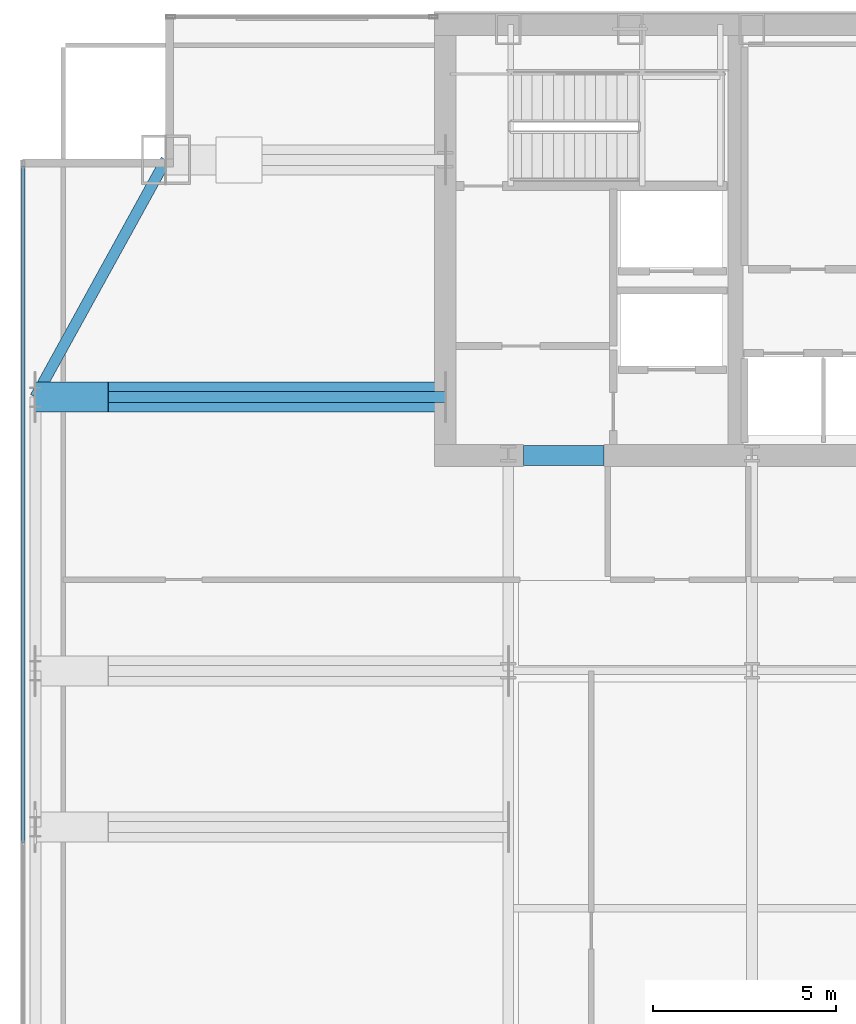
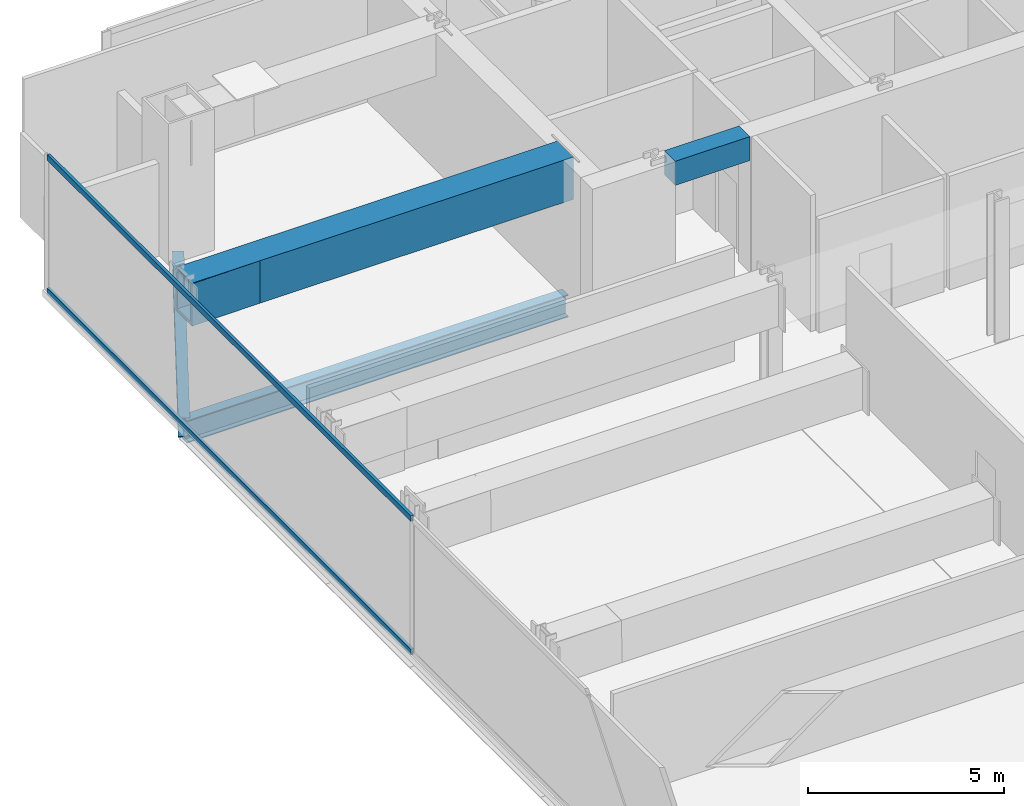
# One storey, part 16 of 25: 5 beams, 2 members, 1 element without a shape of its own.
"""IFC4 building model written with IfcOpenShell, lengths in metres."""

from ifc_helpers import new_model, si_unit, direction, frame, origin, origin_2d, place, context, subcontext, project, spatial, rectangle, hollow_rectangle, i_section, extrude, material, material_profile, profile_set, type_object, element, aggregate, save


model = new_model("IFC4")

# Units and contexts
model_context = context("Model", 3, precision=1e-05, world=origin(), true_north=direction((0.0, 1.0)))
body_context = subcontext(model_context, "Body", "Model", "MODEL_VIEW")
ifc_project = project(units=[si_unit("LENGTHUNIT", "METRE"), si_unit("AREAUNIT", "SQUARE_METRE"), si_unit("VOLUMEUNIT", "CUBIC_METRE"), si_unit("PLANEANGLEUNIT", "RADIAN"), si_unit("MASSUNIT", "GRAM", prefix="KILO")], contexts=[model_context])

# Site, building, storey
site_placement = place(None, origin())
site = spatial("IfcSite", under=ifc_project, at=site_placement, CompositionType="ELEMENT")
building_placement = place(site_placement, origin())
building = spatial("IfcBuilding", under=site, at=building_placement, Name="Khoronbel Lancet Exchange", CompositionType="ELEMENT")
storey_placement = place(building_placement, frame((0.0, 0.0, 184.199951171875)))
storey = spatial("IfcBuildingStorey", under=building, at=storey_placement, Name="L46", CompositionType="ELEMENT", Elevation=184.199951171875)

# Beams
ifc_material_1 = material(Name="Steel S355", Category="steel")
ifc_material_profile_1 = material_profile(ifc_material_1, i_section(OverallWidth=0.300048828125, OverallDepth=0.699951171875, WebThickness=0.01708984375, FlangeThickness=0.031982421875, at=origin_2d()), Name="HEB 700")
ifc_profile_set_1 = profile_set([ifc_material_profile_1], Name="Steel S355")
beam_type_1 = type_object("IfcBeamType", Name="BM-BG3", PredefinedType="BEAM", material=ifc_profile_set_1)
beam_1_placement = place(storey_placement, frame((5.27001953125, 43.199951171875, -0.550048828125), z_axis=(1.0, 0.0, 0.0), x_axis=(0.0, 1.0, 0.0)))
element("IfcBeam", 1, at=beam_1_placement, inside=storey, type_object=beam_type_1, Name="Level L46 west lens tie girder LG3W", PredefinedType="BEAM", context=body_context, shape_type="SweptSolid", body=[
    extrude(i_section(OverallWidth=0.300048828125, OverallDepth=0.699951171875, WebThickness=0.01708984375, FlangeThickness=0.031982421875, at=origin_2d()), origin(), (0.0, 0.0, 1.0), 11.22998046875),
])
ifc_material_2 = material(Name="Concrete C60/75", Category="concrete")
ifc_material_profile_2 = material_profile(ifc_material_2, rectangle(XDim=0.550048828125, YDim=0.75, at=origin_2d()), Name="RC 550x750")
ifc_profile_set_2 = profile_set([ifc_material_profile_2], Name="Concrete C60/75")
beam_type_2 = type_object("IfcBeamType", Name="BM-BL2", PredefinedType="LINTEL", material=ifc_profile_set_2)
beam_2_placement = place(storey_placement, frame((18.64990234375, 41.60009765625, 3.864990234375), z_axis=(1.0, 0.0, 0.0), x_axis=(0.0, 1.0, 0.0)))
element("IfcBeam", 2, at=beam_2_placement, inside=storey, type_object=beam_type_2, Name="Level L46 rear core coupling lintel L1", PredefinedType="LINTEL", context=body_context, shape_type="SweptSolid", body=[
    extrude(rectangle(XDim=0.550048828125, YDim=0.75, at=origin_2d()), origin(), (0.0, 0.0, 1.0), 2.2001953125),
])
ifc_material_profile_3 = material_profile(ifc_material_1, i_section(OverallWidth=0.300048828125, OverallDepth=0.60009765625, WebThickness=0.015380859375, FlangeThickness=0.030029296875, at=origin_2d()), Name="HEB 600")
ifc_profile_set_3 = profile_set([ifc_material_profile_3], Name="Steel S355")
beam_type_3 = type_object("IfcBeamType", Name="BM-BSP2", PredefinedType="SPANDREL", material=ifc_profile_set_3)
beam_3_placement = place(storey_placement, frame((8.85009765625, 49.699951171875, -0.5), z_axis=(-0.482444051088, -0.875926787791, 0.0), x_axis=(0.875926787791, -0.482444051088, 0.0)))
element("IfcBeam", 3, at=beam_3_placement, inside=storey, type_object=beam_type_3, Name="Level L46 perimeter spandrel beam SP16", PredefinedType="SPANDREL", context=body_context, shape_type="SweptSolid", body=[
    extrude(i_section(OverallWidth=0.300048828125, OverallDepth=0.60009765625, WebThickness=0.015380859375, FlangeThickness=0.030029296875, at=origin_2d()), origin(), (0.0, 0.0, 1.0), 7.420654296875),
])
ifc_material_3 = material(Name="Steel S460", Category="steel")
ifc_material_profile_4 = material_profile(ifc_material_3, hollow_rectangle(XDim=0.820068359375, YDim=1.320068359375, WallThickness=0.070068359375, at=origin_2d()), Name="BOX 820x1320x70")
ifc_profile_set_4 = profile_set([ifc_material_profile_4], Name="Steel S460")
beam_type_4 = type_object("IfcBeamType", Name="BM-TG4", PredefinedType="USERDEFINED", material=ifc_profile_set_4)
beam_4_placement = place(storey_placement, frame((5.27001953125, 43.199951171875, 3.56005859375), z_axis=(0.99994990606, 0.0, 0.010009264196), x_axis=(0.0, 1.0, 0.0)))
element("IfcBeam", 4, at=beam_4_placement, inside=storey, type_object=beam_type_4, Name="Setback transfer knee-brace girder L46-WC-4", ObjectType="TRANSFER GIRDER", PredefinedType="USERDEFINED", context=body_context, shape_type="SweptSolid", body=[
    extrude(hollow_rectangle(XDim=0.820068359375, YDim=1.320068359375, WallThickness=0.070068359375, at=origin_2d()), origin(), (0.0, 0.0, 1.0), 2.0),
])
beam_5_placement = place(storey_placement, frame((5.27001953125, 43.199951171875, 3.580078125), z_axis=(1.0, 0.0, 0.0), x_axis=(0.0, 1.0, 0.0)))
element("IfcBeam", 5, at=beam_5_placement, inside=storey, type_object=beam_type_4, Name="Lens setback S460 transfer girder L46-W5", ObjectType="TRANSFER GIRDER", PredefinedType="USERDEFINED", context=body_context, shape_type="SweptSolid", body=[
    extrude(hollow_rectangle(XDim=0.820068359375, YDim=1.320068359375, WallThickness=0.070068359375, at=origin_2d()), origin(), (0.0, 0.0, 1.0), 11.22998046875),
])

# Curtain wall, members
ifc_material_4 = material(Name="Low-E Solar Control Insulating Glass", Category="glass")
curtain_wall_type = type_object("IfcCurtainWallType", Name="CW-4", PredefinedType="NOTDEFINED", material=ifc_material_4)
curtain_wall_placement = place(storey_placement, origin())
curtain_wall = element("IfcCurtainWall", 6, at=curtain_wall_placement, inside=storey, type_object=curtain_wall_type, Name="Unitised curtain wall CW-L46-E03", PredefinedType="NOTDEFINED")
ifc_material_5 = material(Name="Bronze-Anodised Aluminium 6063-T6", Category="aluminium")
ifc_material_profile_5 = material_profile(ifc_material_5, hollow_rectangle(XDim=0.0849609375, YDim=0.179931640625, WallThickness=0.0048828125, at=origin_2d()), Name="ALU TRANSOM 85x180")
ifc_profile_set_5 = profile_set([ifc_material_profile_5], Name="Bronze-Anodised Aluminium 6063-T6")
member_type = type_object("IfcMemberType", Name="MEM-CWT1", PredefinedType="USERDEFINED", material=ifc_profile_set_5)
member_1_placement = place(storey_placement, frame((4.93994140625, 30.987548828125, 0.04248046875), z_axis=(0.0, 1.0, 0.0), x_axis=(-1.0, 0.0, 0.0)))
member_1 = element("IfcMember", 7, at=member_1_placement, type_object=member_type, Name="CW4 transom 2.1", ObjectType="TRANSOM", PredefinedType="USERDEFINED", context=body_context, shape_type="SweptSolid", body=[
    extrude(hollow_rectangle(XDim=0.0849609375, YDim=0.179931640625, WallThickness=0.0048828125, at=origin_2d()), origin(), (0.0, 0.0, 1.0), 18.54736328125),
])
member_2_placement = place(storey_placement, frame((4.93994140625, 30.987548828125, 4.197509765625), z_axis=(0.0, 1.0, 0.0), x_axis=(-1.0, 0.0, 0.0)))
member_2 = element("IfcMember", 8, at=member_2_placement, type_object=member_type, Name="CW4 transom 2.2", ObjectType="TRANSOM", PredefinedType="USERDEFINED", context=body_context, shape_type="SweptSolid", body=[
    extrude(hollow_rectangle(XDim=0.0849609375, YDim=0.179931640625, WallThickness=0.0048828125, at=origin_2d()), origin(), (0.0, 0.0, 1.0), 18.54736328125),
])
aggregate(curtain_wall, [member_1, member_2])

save(model, "model.ifc")
